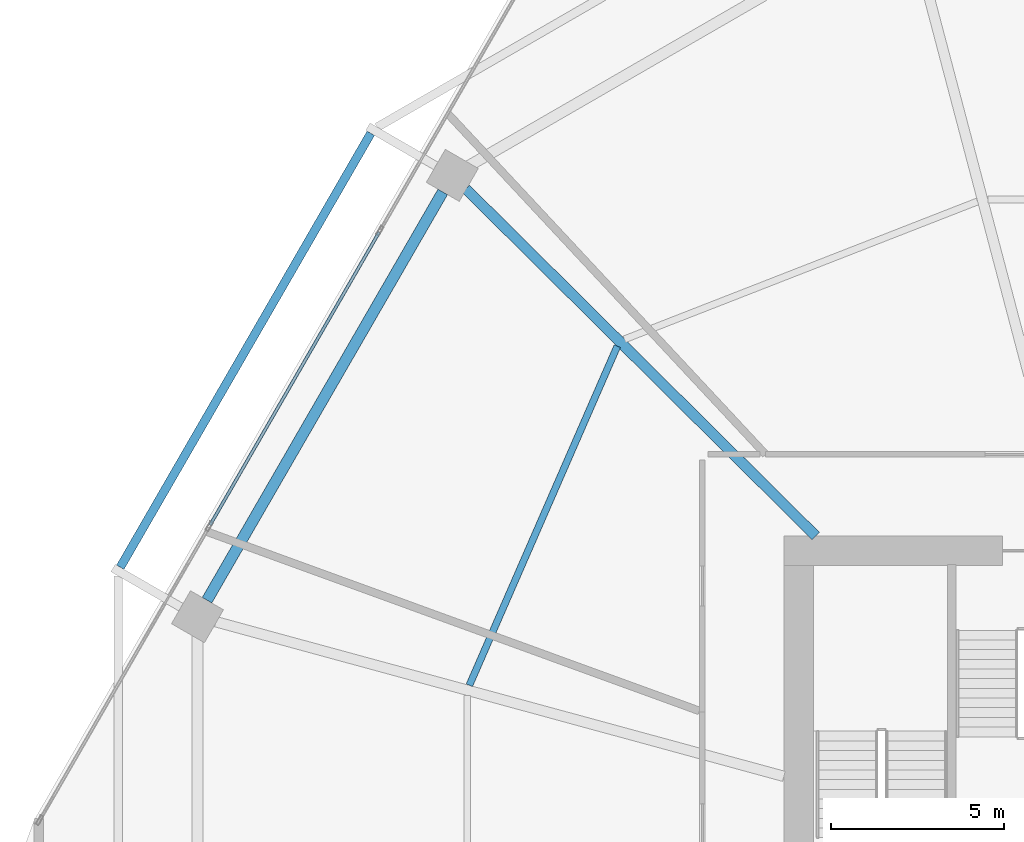
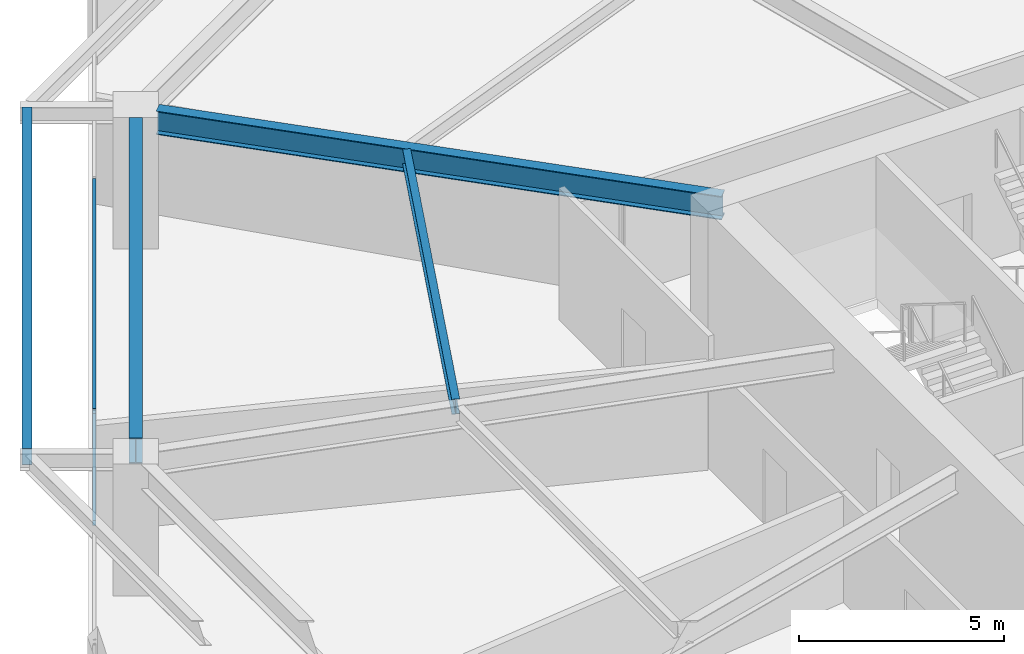
# One storey, part 14 of 28: 4 beams, 2 members, 1 element without a shape of its own.
"""IFC4 building model written with IfcOpenShell, lengths in metres."""

from ifc_helpers import new_model, si_unit, direction, frame, origin, origin_2d, place, context, subcontext, project, spatial, hollow_rectangle, i_section, extrude, material, material_profile, profile_set, type_object, element, aggregate, save


model = new_model("IFC4")

# Units and contexts
model_context = context("Model", 3, precision=1e-05, world=origin(), true_north=direction((0.0, 1.0)))
body_context = subcontext(model_context, "Body", "Model", "MODEL_VIEW")
ifc_project = project(units=[si_unit("LENGTHUNIT", "METRE"), si_unit("AREAUNIT", "SQUARE_METRE"), si_unit("VOLUMEUNIT", "CUBIC_METRE"), si_unit("PLANEANGLEUNIT", "RADIAN"), si_unit("MASSUNIT", "GRAM", prefix="KILO")], contexts=[model_context])

# Site, building, storey
site_placement = place(None, origin())
site = spatial("IfcSite", under=ifc_project, at=site_placement, CompositionType="ELEMENT")
building_placement = place(site_placement, origin())
building = spatial("IfcBuilding", under=site, at=building_placement, Name="Zuhravey Tower", CompositionType="ELEMENT")
storey_placement = place(building_placement, frame((0.0, 0.0, 79.199951171875)))
storey = spatial("IfcBuildingStorey", under=building, at=storey_placement, Name="L19", CompositionType="ELEMENT", Elevation=79.199951171875)

# Curtain wall, members
ifc_material_1 = material(Name="Thermally broken anodised aluminium", Category="aluminium")
curtain_wall_type = type_object("IfcCurtainWallType", Name="School Low-E Unitised Curtain Wall CW1", PredefinedType="NOTDEFINED", material=ifc_material_1)
curtain_wall_placement = place(storey_placement, origin())
curtain_wall = element("IfcCurtainWall", 1, at=curtain_wall_placement, inside=storey, type_object=curtain_wall_type, Name="L19 CW1 CW-L19-F3-1", PredefinedType="NOTDEFINED")
ifc_material_2 = material(Name="Anodised aluminium", Category="aluminium")
ifc_material_profile_1 = material_profile(ifc_material_2, hollow_rectangle(XDim=0.090087890625, YDim=0.14990234375, WallThickness=0.0048828125, at=origin_2d()), Name="ALU-RHS-90x150x5")
ifc_profile_set_1 = profile_set([ifc_material_profile_1], Name="Anodised aluminium")
member_type = type_object("IfcMemberType", Name="Curtain-Wall Transom 90x150", PredefinedType="USERDEFINED", material=ifc_profile_set_1)
member_1_placement = place(storey_placement, frame((8.47705078125, 42.245849609375, 0.045166015625), z_axis=(0.499990498062, 0.866030889661, 0.0), x_axis=(-0.866030889661, 0.499990498062, 0.0)))
member_1 = element("IfcMember", 2, at=member_1_placement, type_object=member_type, Name="CW1 transom 2.1", ObjectType="TRANSOM", PredefinedType="USERDEFINED", context=body_context, shape_type="SweptSolid", body=[
    extrude(hollow_rectangle(XDim=0.090087890625, YDim=0.14990234375, WallThickness=0.0048828125, at=origin_2d()), origin(), (0.0, 0.0, 1.0), 9.776611328125),
])
member_2_placement = place(storey_placement, frame((8.47705078125, 42.245849609375, 3.375), z_axis=(0.499990498062, 0.866030889661, 0.0), x_axis=(-0.866030889661, 0.499990498062, 0.0)))
member_2 = element("IfcMember", 3, at=member_2_placement, type_object=member_type, Name="CW1 transom 2.2", ObjectType="TRANSOM", PredefinedType="USERDEFINED", context=body_context, shape_type="SweptSolid", body=[
    extrude(hollow_rectangle(XDim=0.090087890625, YDim=0.14990234375, WallThickness=0.0048828125, at=origin_2d()), origin(), (0.0, 0.0, 1.0), 9.776611328125),
])
aggregate(curtain_wall, [member_1, member_2])

# Beams
ifc_material_3 = material(Name="Steel SM355", Category="steel")
ifc_material_profile_2 = material_profile(ifc_material_3, i_section(OverallWidth=0.320068359375, OverallDepth=0.75, WebThickness=0.013916015625, FlangeThickness=0.02490234375, at=origin_2d()), Name="H-750x320x14x25")
ifc_profile_set_2 = profile_set([ifc_material_profile_2], Name="Steel SM355")
beam_type_1 = type_object("IfcBeamType", Name="Perimeter Ring Beam H750x320", PredefinedType="BEAM", material=ifc_profile_set_2)
beam_1_placement = place(storey_placement, frame((15.20458984375, 51.8779296875, 3.545166015625), z_axis=(-0.500008177929, -0.866020682204, 0.0), x_axis=(0.866020682204, -0.500008177929, 0.0)))
element("IfcBeam", 4, at=beam_1_placement, inside=storey, type_object=beam_type_1, Name="L19 PB1 BM-L19-PB-05", PredefinedType="BEAM", context=body_context, shape_type="SweptSolid", body=[
    extrude(i_section(OverallWidth=0.320068359375, OverallDepth=0.75, WebThickness=0.013916015625, FlangeThickness=0.02490234375, at=origin_2d()), origin(), (0.0, 0.0, 1.0), 13.634033203125),
])
ifc_material_profile_3 = material_profile(ifc_material_3, i_section(OverallWidth=0.300048828125, OverallDepth=0.699951171875, WebThickness=0.012939453125, FlangeThickness=0.02392578125, at=origin_2d()), Name="H-700x300x13x24")
ifc_profile_set_3 = profile_set([ifc_material_profile_3], Name="Steel SM355")
beam_type_2 = type_object("IfcBeamType", Name="Radial Primary Girder H700x300", PredefinedType="BEAM", material=ifc_profile_set_3)
beam_2_placement = place(storey_placement, frame((25.992919921875, 41.927978515625, 3.570068359375), z_axis=(-0.709901518563, 0.704300954097, 0.0), x_axis=(-0.704300954097, -0.709901518563, 0.0)))
element("IfcBeam", 5, at=beam_2_placement, inside=storey, type_object=beam_type_2, Name="L19 RG1 BM-L19-RAD-05", PredefinedType="BEAM", context=body_context, shape_type="SweptSolid", body=[
    extrude(i_section(OverallWidth=0.300048828125, OverallDepth=0.699951171875, WebThickness=0.012939453125, FlangeThickness=0.02392578125, at=origin_2d()), origin(), (0.0, 0.0, 1.0), 14.254638671875),
])
ifc_material_profile_4 = material_profile(ifc_material_3, i_section(OverallWidth=0.199951171875, OverallDepth=0.449951171875, WebThickness=0.009033203125, FlangeThickness=0.013916015625, at=origin_2d()), Name="H-450x200x9x14")
ifc_profile_set_4 = profile_set([ifc_material_profile_4], Name="Steel SM355")
beam_type_3 = type_object("IfcBeamType", Name="Secondary Floor Joist H450x200", PredefinedType="JOIST", material=ifc_profile_set_4)
beam_3_placement = place(storey_placement, frame((20.2548828125, 47.41845703125, 3.695068359375), z_axis=(-0.399923551578, -0.916548500022, 0.0), x_axis=(0.916548500022, -0.399923551578, 0.0)))
element("IfcBeam", 6, at=beam_3_placement, inside=storey, type_object=beam_type_3, Name="L19 SJ1 BM-L19-SJ-05-1", PredefinedType="JOIST", context=body_context, shape_type="SweptSolid", body=[
    extrude(i_section(OverallWidth=0.199951171875, OverallDepth=0.449951171875, WebThickness=0.009033203125, FlangeThickness=0.013916015625, at=origin_2d()), origin(), (0.0, 0.0, 1.0), 10.70263671875),
])
ifc_material_profile_5 = material_profile(ifc_material_3, i_section(OverallWidth=0.25, OverallDepth=0.5, WebThickness=0.010009765625, FlangeThickness=0.01611328125, at=origin_2d()), Name="H-500x250x10x16")
ifc_profile_set_5 = profile_set([ifc_material_profile_5], Name="Steel SM355")
beam_type_4 = type_object("IfcBeamType", Name="Tray Cantilever Spandrel H500x250", PredefinedType="SPANDREL", material=ifc_profile_set_5)
beam_4_placement = place(storey_placement, frame((13.12451171875, 53.575439453125, 3.670166015625), z_axis=(-0.500001430823, -0.866024577697, 0.0), x_axis=(0.866024577697, -0.500001430823, 0.0)))
element("IfcBeam", 7, at=beam_4_placement, inside=storey, type_object=beam_type_4, Name="L19 Sky-Tray Edge Spandrel TSB1-05", PredefinedType="SPANDREL", context=body_context, shape_type="SweptSolid", body=[
    extrude(i_section(OverallWidth=0.25, OverallDepth=0.5, WebThickness=0.010009765625, FlangeThickness=0.01611328125, at=origin_2d()), origin(), (0.0, 0.0, 1.0), 14.494140625),
])

save(model, "model.ifc")
